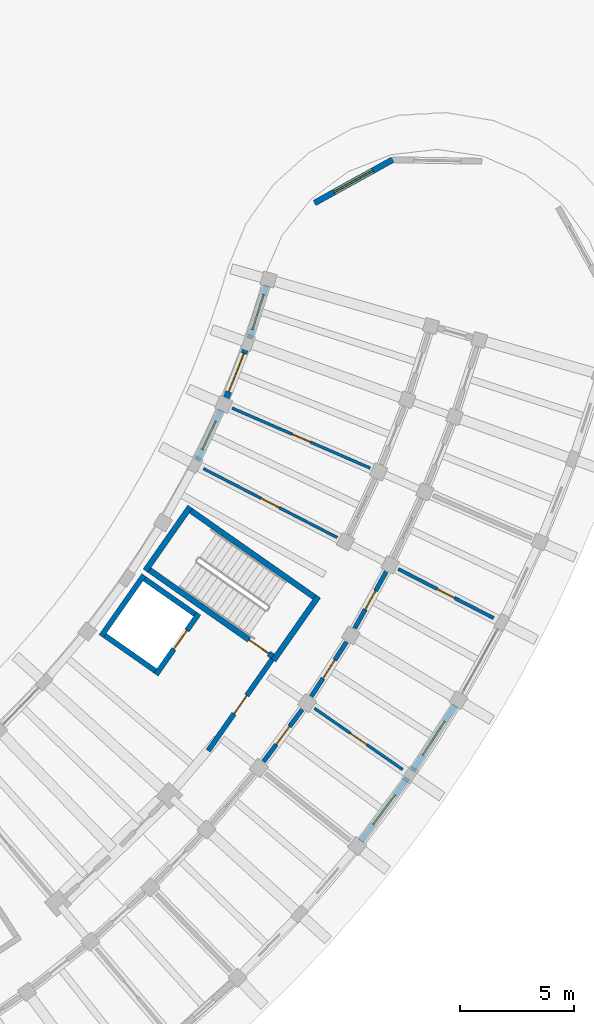
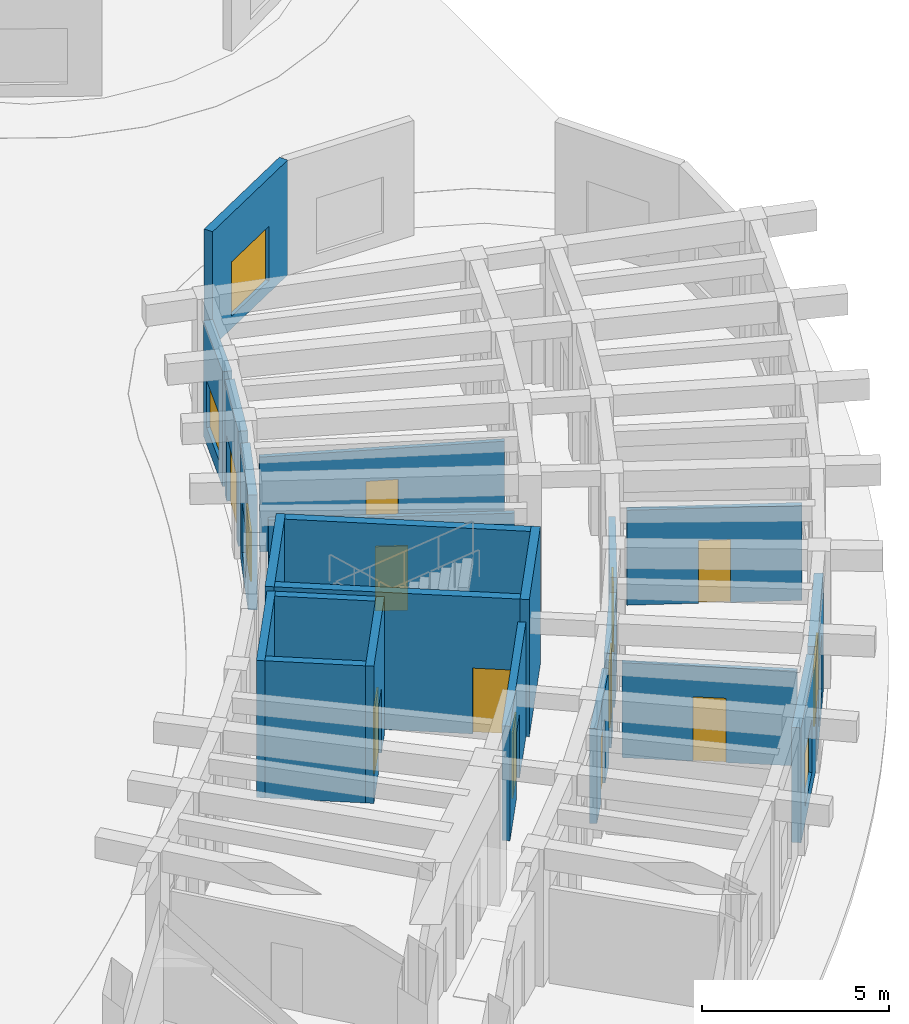
# One storey, part 103 of 132: 22 walls, 11 doors, 5 windows, 16 openings.
"""IFC4 building model written with IfcOpenShell, lengths in metres."""

from ifc_helpers import new_model, si_unit, direction, frame, frame_2d, origin, place, context, subcontext, project, spatial, rectangle, extrude, material, layer, layer_set, type_object, element, fill, save


model = new_model("IFC4")

# Units and contexts
model_context = context("Model", 3, precision=1e-05, world=origin(), true_north=direction((0.0, 1.0)))
body_context = subcontext(model_context, "Body", "Model", "MODEL_VIEW")
ifc_project = project(units=[si_unit("LENGTHUNIT", "METRE"), si_unit("AREAUNIT", "SQUARE_METRE"), si_unit("VOLUMEUNIT", "CUBIC_METRE"), si_unit("PLANEANGLEUNIT", "RADIAN"), si_unit("MASSUNIT", "GRAM", prefix="KILO")], contexts=[model_context])

# Site, building, storey
site_placement = place(None, origin())
site = spatial("IfcSite", under=ifc_project, at=site_placement, CompositionType="ELEMENT")
building_placement = place(site_placement, origin())
building = spatial("IfcBuilding", under=site, at=building_placement, Name="Tanwirah Colonnade Gardens", CompositionType="ELEMENT")
storey_placement = place(building_placement, origin())
storey = spatial("IfcBuildingStorey", under=building, at=storey_placement, Name="L00", CompositionType="ELEMENT", Elevation=0.0)

# Wall, opening, window
ifc_material_1 = material(Name="Limestone architectural precast concrete C40/50", Category="masonry")
ifc_layer_1 = layer(ifc_material_1, 0.260009765625)
ifc_layer_set_1 = layer_set([ifc_layer_1], Name="Limestone architectural precast concrete C40/50")
wall_type_1 = type_object("IfcWallType", Name="EW-PC260", PredefinedType="SOLIDWALL", material=ifc_layer_set_1)
wall_1_placement = place(storey_placement, frame((167.768310546875, 27.64990234375, 0.0), z_axis=(0.0, 0.0, 1.0), x_axis=(0.596562008048, 0.802566988203, 0.0)))
wall_1 = element("IfcWall", 1, at=wall_1_placement, inside=storey, type_object=wall_type_1, Name="Block D L00 OUT Precast Facade Wall 10", PredefinedType="SOLIDWALL", context=body_context, shape_type="SweptSolid", body=[
    extrude(rectangle(XDim=3.436767578125, YDim=0.260009765625, at=frame_2d((1.71826171875, 0.0))), origin(), (0.0, 0.0, 1.0), 3.7548828125),
])
opening_1_placement = place(wall_1_placement, frame((0.91845703125, 0.0, 0.550048828125)))
opening_1 = element("IfcOpeningElement", 2, at=opening_1_placement, cuts=wall_1, Name="Opening WIN-T10", PredefinedType="OPENING", context=body_context, shape_type="SweptSolid", body=[
    extrude(rectangle(XDim=1.60009765625, YDim=1.75, at=frame_2d((0.800048828125, 0.875))), frame((0.0, 0.139892578125, 0.0), z_axis=(0.0, -1.0, 0.0), x_axis=(1.0, 0.0, 0.0)), (0.0, 0.0, 1.0), 0.280029296875),
])
ifc_material_2 = material(Name="Thermally broken bronze aluminium and solar low-E double glazing", Category="aluminium")
window_type_1 = type_object("IfcWindowType", Name="WIN-T10", PartitioningType="DOUBLE_PANEL_VERTICAL", PredefinedType="WINDOW", material=ifc_material_2)
window_1_placement = place(opening_1_placement, origin())
window_1 = element("IfcWindow", 3, at=window_1_placement, inside=storey, type_object=window_type_1, Name="Facade window D-L00-OUT-10", OverallHeight=1.75, OverallWidth=1.60009765625, PartitioningType="SINGLE_PANEL", PredefinedType="WINDOW", context=body_context, shape_type="SweptSolid", body=[
    extrude(rectangle(XDim=1.60009765625, YDim=1.75, at=frame_2d((0.800048828125, 0.875))), frame((0.0, 0.030029296875, 0.0), z_axis=(0.0, -1.0, 0.0), x_axis=(1.0, 0.0, 0.0)), (0.0, 0.0, 1.0), 0.06005859375),
])
fill(opening_1, window_1)

wall_2_placement = place(storey_placement, frame((170.029541015625, 30.712158203125, 0.0), z_axis=(0.0, 0.0, 1.0), x_axis=(0.54279171039, 0.839867346152, 0.0)))
wall_2 = element("IfcWall", 4, at=wall_2_placement, inside=storey, type_object=wall_type_1, Name="Block D L00 OUT Precast Facade Wall 11", PredefinedType="SOLIDWALL", context=body_context, shape_type="SweptSolid", body=[
    extrude(rectangle(XDim=3.436767578125, YDim=0.260009765625, at=frame_2d((1.71826171875, 0.0))), origin(), (0.0, 0.0, 1.0), 3.7548828125),
])
opening_2_placement = place(wall_2_placement, frame((0.843505859375, 0.0, 0.550048828125)))
opening_2 = element("IfcOpeningElement", 5, at=opening_2_placement, cuts=wall_2, Name="Opening WIN-T13", PredefinedType="OPENING", context=body_context, shape_type="SweptSolid", body=[
    extrude(rectangle(XDim=1.75, YDim=1.85009765625, at=frame_2d((0.875, 0.925048828125))), frame((0.0, 0.139892578125, 0.0), z_axis=(0.0, -1.0, 0.0), x_axis=(1.0, 0.0, 0.0)), (0.0, 0.0, 1.0), 0.280029296875),
])
window_type_2 = type_object("IfcWindowType", Name="WIN-T13", PartitioningType="TRIPLE_PANEL_VERTICAL", PredefinedType="WINDOW", material=ifc_material_2)
window_2_placement = place(opening_2_placement, origin())
window_2 = element("IfcWindow", 6, at=window_2_placement, inside=storey, type_object=window_type_2, Name="Facade window D-L00-OUT-11", OverallHeight=1.85009765625, OverallWidth=1.75, PartitioningType="SINGLE_PANEL", PredefinedType="WINDOW", context=body_context, shape_type="SweptSolid", body=[
    extrude(rectangle(XDim=1.75, YDim=1.85009765625, at=frame_2d((0.875, 0.925048828125))), frame((0.0, 0.030029296875, 0.0), z_axis=(0.0, -1.0, 0.0), x_axis=(1.0, 0.0, 0.0)), (0.0, 0.0, 1.0), 0.06005859375),
])
fill(opening_2, window_2)

wall_3_placement = place(storey_placement, frame((160.59619140625, 44.314697265625, 0.0), z_axis=(0.0, 0.0, 1.0), x_axis=(0.42853203261, 0.903526588998, 0.0)))
wall_3 = element("IfcWall", 7, at=wall_3_placement, inside=storey, type_object=wall_type_1, Name="Block D L00 IN Precast Facade Wall 13", PredefinedType="SOLIDWALL", context=body_context, shape_type="SweptSolid", body=[
    extrude(rectangle(XDim=2.44873046875, YDim=0.260009765625, at=frame_2d((1.224365234375, 0.0))), origin(), (0.0, 0.0, 1.0), 3.7548828125),
])
opening_3_placement = place(wall_3_placement, frame((0.54443359375, 0.0, 0.550048828125)))
opening_3 = element("IfcOpeningElement", 8, at=opening_3_placement, cuts=wall_3, Name="Opening WIN-U06", PredefinedType="OPENING", context=body_context, shape_type="SweptSolid", body=[
    extrude(rectangle(XDim=1.360107421875, YDim=1.610107421875, at=frame_2d((0.68017578125, 0.80517578125))), frame((0.0, 0.139892578125, 0.0), z_axis=(0.0, -1.0, 0.0), x_axis=(1.0, 0.0, 0.0)), (0.0, 0.0, 1.0), 0.280029296875),
])
window_type_3 = type_object("IfcWindowType", Name="WIN-U06", PartitioningType="DOUBLE_PANEL_VERTICAL", PredefinedType="WINDOW", material=ifc_material_2)
window_3_placement = place(opening_3_placement, origin())
window_3 = element("IfcWindow", 9, at=window_3_placement, inside=storey, type_object=window_type_3, Name="Facade window D-L00-IN-13", OverallHeight=1.610107421875, OverallWidth=1.360107421875, PartitioningType="SINGLE_PANEL", PredefinedType="WINDOW", context=body_context, shape_type="SweptSolid", body=[
    extrude(rectangle(XDim=1.360107421875, YDim=1.610107421875, at=frame_2d((0.68017578125, 0.80517578125))), frame((0.0, 0.030029296875, 0.0), z_axis=(0.0, -1.0, 0.0), x_axis=(1.0, 0.0, 0.0)), (0.0, 0.0, 1.0), 0.06005859375),
])
fill(opening_3, window_3)

# Wall, opening, door
wall_4_placement = place(storey_placement, frame((161.86474609375, 47.03125, 0.0), z_axis=(0.0, 0.0, 1.0), x_axis=(0.368500941406, 0.92962737491, 0.0)))
wall_4 = element("IfcWall", 10, at=wall_4_placement, inside=storey, type_object=wall_type_1, Name="Block D L00 IN Precast Facade Wall 14", PredefinedType="SOLIDWALL", context=body_context, shape_type="SweptSolid", body=[
    extrude(rectangle(XDim=2.44873046875, YDim=0.260009765625, at=frame_2d((1.224365234375, 0.0))), origin(), (0.0, 0.0, 1.0), 3.7548828125),
])
opening_4_placement = place(wall_4_placement, frame((0.324462890625, 0.0, 0.0)))
opening_4 = element("IfcOpeningElement", 11, at=opening_4_placement, cuts=wall_4, Name="Opening L00-ED175", PredefinedType="OPENING", context=body_context, shape_type="SweptSolid", body=[
    extrude(rectangle(XDim=1.800048828125, YDim=2.14990234375, at=frame_2d((0.89990234375, 1.074951171875))), frame((0.0, 0.139892578125, 0.0), z_axis=(0.0, -1.0, 0.0), x_axis=(1.0, 0.0, 0.0)), (0.0, 0.0, 1.0), 0.280029296875),
])
ifc_material_3 = material(Name="Powder-coated galvanized steel fire exit door", Category="steel")
door_type_1 = type_object("IfcDoorType", Name="ED-EXIT18", OperationType="DOUBLE_DOOR_SINGLE_SWING", PredefinedType="DOOR", material=ifc_material_3)
door_1_placement = place(opening_4_placement, origin())
door_1 = element("IfcDoor", 12, at=door_1_placement, inside=storey, type_object=door_type_1, Name="Pedestrian final exit door L00-ED175", OperationType="DOUBLE_DOOR_SINGLE_SWING", OverallHeight=2.14990234375, OverallWidth=1.800048828125, PredefinedType="DOOR", context=body_context, shape_type="SweptSolid", body=[
    extrude(rectangle(XDim=1.800048828125, YDim=2.14990234375, at=frame_2d((0.89990234375, 1.074951171875))), frame((0.0, 0.02490234375, 0.0), z_axis=(0.0, -1.0, 0.0), x_axis=(1.0, 0.0, 0.0)), (0.0, 0.0, 1.0), 0.050048828125),
])
fill(opening_4, door_1)

# Wall, opening, window
wall_5_placement = place(storey_placement, frame((162.89208984375, 49.65576171875, 0.0), z_axis=(0.0, 0.0, 1.0), x_axis=(0.306909552229, 0.951738686169, 0.0)))
wall_5 = element("IfcWall", 13, at=wall_5_placement, inside=storey, type_object=wall_type_1, Name="Block D L00 IN Precast Facade Wall 15", PredefinedType="SOLIDWALL", context=body_context, shape_type="SweptSolid", body=[
    extrude(rectangle(XDim=2.448486328125, YDim=0.260009765625, at=frame_2d((1.22412109375, 0.0))), origin(), (0.0, 0.0, 1.0), 3.7548828125),
])
opening_5_placement = place(wall_5_placement, frame((0.42431640625, 0.0, 0.550048828125)))
opening_5 = element("IfcOpeningElement", 14, at=opening_5_placement, cuts=wall_5, Name="Opening WIN-U12", PredefinedType="OPENING", context=body_context, shape_type="SweptSolid", body=[
    extrude(rectangle(XDim=1.60009765625, YDim=1.534912109375, at=frame_2d((0.800048828125, 0.767578125))), frame((0.0, 0.139892578125, 0.0), z_axis=(0.0, -1.0, 0.0), x_axis=(1.0, 0.0, 0.0)), (0.0, 0.0, 1.0), 0.280029296875),
])
window_type_4 = type_object("IfcWindowType", Name="WIN-U12", PartitioningType="DOUBLE_PANEL_VERTICAL", PredefinedType="WINDOW", material=ifc_material_2)
window_4_placement = place(opening_5_placement, origin())
window_4 = element("IfcWindow", 15, at=window_4_placement, inside=storey, type_object=window_type_4, Name="Facade window D-L00-IN-15", OverallHeight=1.534912109375, OverallWidth=1.60009765625, PartitioningType="SINGLE_PANEL", PredefinedType="WINDOW", context=body_context, shape_type="SweptSolid", body=[
    extrude(rectangle(XDim=1.60009765625, YDim=1.534912109375, at=frame_2d((0.800048828125, 0.767578125))), frame((0.0, 0.030029296875, 0.0), z_axis=(0.0, -1.0, 0.0), x_axis=(1.0, 0.0, 0.0)), (0.0, 0.0, 1.0), 0.06005859375),
])
fill(opening_5, window_4)

wall_6_placement = place(storey_placement, frame((165.740966796875, 55.597900390625, 0.0), z_axis=(0.0, 0.0, 1.0), x_axis=(0.874616555828, 0.48481530532, 0.0)))
wall_6 = element("IfcWall", 16, at=wall_6_placement, inside=storey, type_object=wall_type_1, Name="Block D L00 END Rounded End Wall 1", PredefinedType="SOLIDWALL", context=body_context, shape_type="SweptSolid", body=[
    extrude(rectangle(XDim=3.908203125, YDim=0.260009765625, at=frame_2d((1.9541015625, 0.0))), origin(), (0.0, 0.0, 1.0), 3.7548828125),
])
opening_6_placement = place(wall_6_placement, frame((0.97900390625, 0.0, 0.39990234375)))
opening_6 = element("IfcOpeningElement", 17, at=opening_6_placement, cuts=wall_6, Name="Opening WIN-END2", PredefinedType="OPENING", context=body_context, shape_type="SweptSolid", body=[
    extrude(rectangle(XDim=1.949951171875, YDim=1.780029296875, at=frame_2d((0.97509765625, 0.89013671875))), frame((0.0, 0.139892578125, 0.0), z_axis=(0.0, -1.0, 0.0), x_axis=(1.0, 0.0, 0.0)), (0.0, 0.0, 1.0), 0.280029296875),
])
window_type_5 = type_object("IfcWindowType", Name="WIN-END2", PartitioningType="TRIPLE_PANEL_VERTICAL", PredefinedType="WINDOW", material=ifc_material_2)
window_5_placement = place(opening_6_placement, origin())
window_5 = element("IfcWindow", 18, at=window_5_placement, inside=storey, type_object=window_type_5, Name="Rounded corner window D-L00-END-1", OverallHeight=1.780029296875, OverallWidth=1.949951171875, PartitioningType="SINGLE_PANEL", PredefinedType="WINDOW", context=body_context, shape_type="SweptSolid", body=[
    extrude(rectangle(XDim=1.949951171875, YDim=1.780029296875, at=frame_2d((0.97509765625, 0.89013671875))), frame((0.0, 0.030029296875, 0.0), z_axis=(0.0, -1.0, 0.0), x_axis=(1.0, 0.0, 0.0)), (0.0, 0.0, 1.0), 0.06005859375),
])
fill(opening_6, window_5)

# Wall, opening, door
ifc_material_4 = material(Name="Precast concrete C40/50", Category="concrete")
ifc_layer_2 = layer(ifc_material_4, 0.195068359375)
ifc_layer_set_2 = layer_set([ifc_layer_2], Name="Precast concrete C40/50")
wall_type_2 = type_object("IfcWallType", Name="IW-CORR195", PredefinedType="PARTITIONING", material=ifc_layer_set_2)
wall_7_placement = place(storey_placement, frame((163.5087890625, 31.134033203125, 0.0), z_axis=(0.0, 0.0, 1.0), x_axis=(0.596552136601, 0.802574325727, 0.0)))
wall_7 = element("IfcWall", 19, at=wall_7_placement, inside=storey, type_object=wall_type_2, Name="Block D L00 OUT Corridor Wall 10", PredefinedType="PARTITIONING", context=body_context, shape_type="SweptSolid", body=[
    extrude(rectangle(XDim=2.8369140625, YDim=0.195068359375, at=frame_2d((1.41845703125, 0.0))), origin(), (0.0, 0.0, 1.0), 3.10009765625),
])
opening_7_placement = place(wall_7_placement, frame((0.93359375, 0.0, 0.0)))
opening_7 = element("IfcOpeningElement", 20, at=opening_7_placement, cuts=wall_7, Name="Opening L00-AD1671", PredefinedType="OPENING", context=body_context, shape_type="SweptSolid", body=[
    extrude(rectangle(XDim=0.969970703125, YDim=2.14990234375, at=frame_2d((0.48486328125, 1.074951171875))), frame((0.0, 0.107421875, 0.0), z_axis=(0.0, -1.0, 0.0), x_axis=(1.0, 0.0, 0.0)), (0.0, 0.0, 1.0), 0.215087890625),
])
ifc_material_5 = material(Name="Solid oak fire-resisting apartment entrance door")
door_type_2 = type_object("IfcDoorType", Name="ID-FLT097", OperationType="NOTDEFINED", PredefinedType="DOOR", material=ifc_material_5)
door_2_placement = place(opening_7_placement, origin())
door_2 = element("IfcDoor", 21, at=door_2_placement, inside=storey, type_object=door_type_2, Name="Apartment corridor door L00-AD1671", OperationType="SINGLE_SWING_LEFT", OverallHeight=2.14990234375, OverallWidth=0.969970703125, PredefinedType="DOOR", context=body_context, shape_type="SweptSolid", body=[
    extrude(rectangle(XDim=0.969970703125, YDim=2.14990234375, at=frame_2d((0.48486328125, 1.074951171875))), frame((0.0, 0.02490234375, 0.0), z_axis=(0.0, -1.0, 0.0), x_axis=(1.0, 0.0, 0.0)), (0.0, 0.0, 1.0), 0.050048828125),
])
fill(opening_7, door_2)

wall_8_placement = place(storey_placement, frame((165.60009765625, 33.985595703125, 0.0), z_axis=(0.0, 0.0, 1.0), x_axis=(0.542787304957, 0.83987019329, 0.0)))
wall_8 = element("IfcWall", 22, at=wall_8_placement, inside=storey, type_object=wall_type_2, Name="Block D L00 OUT Corridor Wall 11", PredefinedType="PARTITIONING", context=body_context, shape_type="SweptSolid", body=[
    extrude(rectangle(XDim=2.8369140625, YDim=0.195068359375, at=frame_2d((1.41845703125, 0.0))), origin(), (0.0, 0.0, 1.0), 3.10009765625),
])
opening_8_placement = place(wall_8_placement, frame((0.943603515625, 0.0, 0.0)))
opening_8 = element("IfcOpeningElement", 23, at=opening_8_placement, cuts=wall_8, Name="Opening L00-AD1673", PredefinedType="OPENING", context=body_context, shape_type="SweptSolid", body=[
    extrude(rectangle(XDim=0.949951171875, YDim=2.1298828125, at=frame_2d((0.47509765625, 1.06494140625))), frame((0.0, 0.107421875, 0.0), z_axis=(0.0, -1.0, 0.0), x_axis=(1.0, 0.0, 0.0)), (0.0, 0.0, 1.0), 0.215087890625),
])
door_type_3 = type_object("IfcDoorType", Name="ID-FLT095", OperationType="NOTDEFINED", PredefinedType="DOOR", material=ifc_material_5)
door_3_placement = place(opening_8_placement, origin())
door_3 = element("IfcDoor", 24, at=door_3_placement, inside=storey, type_object=door_type_3, Name="Apartment corridor door L00-AD1673", OperationType="SINGLE_SWING_RIGHT", OverallHeight=2.1298828125, OverallWidth=0.949951171875, PredefinedType="DOOR", context=body_context, shape_type="SweptSolid", body=[
    extrude(rectangle(XDim=0.949951171875, YDim=2.1298828125, at=frame_2d((0.47509765625, 1.06494140625))), frame((0.0, 0.02490234375, 0.0), z_axis=(0.0, -1.0, 0.0), x_axis=(1.0, 0.0, 0.0)), (0.0, 0.0, 1.0), 0.050048828125),
])
fill(opening_8, door_3)

wall_9_placement = place(storey_placement, frame((167.500244140625, 36.968017578125, 0.0), z_axis=(0.0, 0.0, 1.0), x_axis=(0.48673124079, 0.8735517725, 0.0)))
wall_9 = element("IfcWall", 25, at=wall_9_placement, inside=storey, type_object=wall_type_2, Name="Block D L00 OUT Corridor Wall 12", PredefinedType="PARTITIONING", context=body_context, shape_type="SweptSolid", body=[
    extrude(rectangle(XDim=2.8369140625, YDim=0.195068359375, at=frame_2d((1.41845703125, 0.0))), origin(), (0.0, 0.0, 1.0), 3.10009765625),
])
opening_9_placement = place(wall_9_placement, frame((0.95361328125, 0.0, 0.0)))
opening_9 = element("IfcOpeningElement", 26, at=opening_9_placement, cuts=wall_9, Name="Opening L00-AD1674", PredefinedType="OPENING", context=body_context, shape_type="SweptSolid", body=[
    extrude(rectangle(XDim=0.929931640625, YDim=2.1201171875, at=frame_2d((0.46484375, 1.06005859375))), frame((0.0, 0.107421875, 0.0), z_axis=(0.0, -1.0, 0.0), x_axis=(1.0, 0.0, 0.0)), (0.0, 0.0, 1.0), 0.215087890625),
])
door_type_4 = type_object("IfcDoorType", Name="ID-FLT093", OperationType="NOTDEFINED", PredefinedType="DOOR", material=ifc_material_5)
door_4_placement = place(opening_9_placement, origin())
door_4 = element("IfcDoor", 27, at=door_4_placement, inside=storey, type_object=door_type_4, Name="Apartment corridor door L00-AD1674", OperationType="SINGLE_SWING_LEFT", OverallHeight=2.1201171875, OverallWidth=0.929931640625, PredefinedType="DOOR", context=body_context, shape_type="SweptSolid", body=[
    extrude(rectangle(XDim=0.929931640625, YDim=2.1201171875, at=frame_2d((0.46484375, 1.06005859375))), frame((0.0, 0.02490234375, 0.0), z_axis=(0.0, -1.0, 0.0), x_axis=(1.0, 0.0, 0.0)), (0.0, 0.0, 1.0), 0.050048828125),
])
fill(opening_9, door_4)

ifc_material_6 = material(Name="Autoclaved aerated masonry blockwork", Category="masonry")
ifc_layer_3 = layer(ifc_material_6, 0.219970703125)
ifc_layer_set_3 = layer_set([ifc_layer_3], Name="Autoclaved aerated masonry blockwork")
wall_type_3 = type_object("IfcWallType", Name="IW-FFL220", PredefinedType="PARTITIONING", material=ifc_layer_set_3)
wall_10_placement = place(storey_placement, frame((163.89501953125, 35.624267578125, 0.0), z_axis=(0.0, 0.0, 1.0), x_axis=(-0.573572687386, -0.819154669329, 0.0)))
wall_10 = element("IfcWall", 28, at=wall_10_placement, inside=storey, type_object=wall_type_3, Name="CORE-D2 L00 Enclosed Lobby Fire Wall", PredefinedType="PARTITIONING", context=body_context, shape_type="SweptSolid", body=[
    extrude(rectangle(XDim=4.900146484375, YDim=0.219970703125, at=frame_2d((2.4501953125, 0.0))), origin(), (0.0, 0.0, 1.0), 3.739990234375),
])
opening_10_placement = place(wall_10_placement, frame((1.949951171875, 0.0, 0.0)))
opening_10 = element("IfcOpeningElement", 29, at=opening_10_placement, cuts=wall_10, Name="Opening L00-LD200", PredefinedType="OPENING", context=body_context, shape_type="SweptSolid", body=[
    extrude(rectangle(XDim=0.97998046875, YDim=2.139892578125, at=frame_2d((0.489990234375, 1.06982421875))), frame((0.0, 0.119873046875, 0.0), z_axis=(0.0, -1.0, 0.0), x_axis=(1.0, 0.0, 0.0)), (0.0, 0.0, 1.0), 0.239990234375),
])
ifc_material_7 = material(Name="Acoustic fire-resisting lobby door")
door_type_5 = type_object("IfcDoorType", Name="ID-FFL098", OperationType="NOTDEFINED", PredefinedType="DOOR", material=ifc_material_7)
door_5_placement = place(opening_10_placement, origin())
door_5 = element("IfcDoor", 30, at=door_5_placement, inside=storey, type_object=door_type_5, Name="CORE-D2 L00 Lobby Fire Door L00-LD200", OperationType="SINGLE_SWING_LEFT", OverallHeight=2.139892578125, OverallWidth=0.97998046875, PredefinedType="DOOR", context=body_context, shape_type="SweptSolid", body=[
    extrude(rectangle(XDim=0.97998046875, YDim=2.139892578125, at=frame_2d((0.489990234375, 1.06982421875))), frame((0.0, 0.02490234375, 0.0), z_axis=(0.0, -1.0, 0.0), x_axis=(1.0, 0.0, 0.0)), (0.0, 0.0, 1.0), 0.050048828125),
])
fill(opening_10, door_5)

ifc_material_8 = material(Name="Moisture-resistant gypsum stud partition")
ifc_layer_4 = layer(ifc_material_8, 0.125)
ifc_layer_set_4 = layer_set([ifc_layer_4], Name="Moisture-resistant gypsum stud partition")
wall_type_4 = type_object("IfcWallType", Name="IW-INT125", PredefinedType="PARTITIONING", material=ifc_layer_set_4)
wall_11_placement = place(storey_placement, frame((165.73876953125, 33.463623046875, 0.0), z_axis=(0.0, 0.0, 1.0), x_axis=(0.821638260647, -0.570009270663, 0.0)))
wall_11 = element("IfcWall", 31, at=wall_11_placement, inside=storey, type_object=wall_type_4, Name="Block D L00 Radial Partition 10", PredefinedType="PARTITIONING", context=body_context, shape_type="SweptSolid", body=[
    extrude(rectangle(XDim=4.699951171875, YDim=0.125, at=frame_2d((2.35009765625, 0.0))), origin(), (0.0, 0.0, 1.0), 3.10009765625),
])
opening_11_placement = place(wall_11_placement, frame((1.905029296875, 0.0, 0.0)))
opening_11 = element("IfcOpeningElement", 32, at=opening_11_placement, cuts=wall_11, Name="Opening L00-RD1672", PredefinedType="OPENING", context=body_context, shape_type="SweptSolid", body=[
    extrude(rectangle(XDim=0.889892578125, YDim=2.10009765625, at=frame_2d((0.44482421875, 1.050048828125))), frame((0.0, 0.072509765625, 0.0), z_axis=(0.0, -1.0, 0.0), x_axis=(1.0, 0.0, 0.0)), (0.0, 0.0, 1.0), 0.14501953125),
])
ifc_material_9 = material(Name="Painted hardwood bedroom door", Category="wood")
door_type_6 = type_object("IfcDoorType", Name="ID-RM089", OperationType="NOTDEFINED", PredefinedType="DOOR", material=ifc_material_9)
door_6_placement = place(opening_11_placement, origin())
door_6 = element("IfcDoor", 33, at=door_6_placement, inside=storey, type_object=door_type_6, Name="Internal apartment door L00-RD1672", OperationType="SINGLE_SWING_LEFT", OverallHeight=2.10009765625, OverallWidth=0.889892578125, PredefinedType="DOOR", context=body_context, shape_type="SweptSolid", body=[
    extrude(rectangle(XDim=0.889892578125, YDim=2.10009765625, at=frame_2d((0.44482421875, 1.050048828125))), frame((0.0, 0.02490234375, 0.0), z_axis=(0.0, -1.0, 0.0), x_axis=(1.0, 0.0, 0.0)), (0.0, 0.0, 1.0), 0.050048828125),
])
fill(opening_11, door_6)

wall_12_placement = place(storey_placement, frame((160.872314453125, 43.96435546875, 0.0), z_axis=(0.0, 0.0, 1.0), x_axis=(0.889022010753, -0.457864460727, 0.0)))
wall_12 = element("IfcWall", 34, at=wall_12_placement, inside=storey, type_object=wall_type_4, Name="Block D L00 Inner Radial Partition 12", PredefinedType="PARTITIONING", context=body_context, shape_type="SweptSolid", body=[
    extrude(rectangle(XDim=6.60009765625, YDim=0.125, at=frame_2d((3.300048828125, 0.0))), origin(), (0.0, 0.0, 1.0), 3.10009765625),
])
opening_12_placement = place(wall_12_placement, frame((2.85498046875, 0.0, 0.0)))
opening_12 = element("IfcOpeningElement", 35, at=opening_12_placement, cuts=wall_12, Name="Opening L00-RD1676", PredefinedType="OPENING", context=body_context, shape_type="SweptSolid", body=[
    extrude(rectangle(XDim=0.889892578125, YDim=2.10009765625, at=frame_2d((0.44482421875, 1.050048828125))), frame((0.0, 0.072509765625, 0.0), z_axis=(0.0, -1.0, 0.0), x_axis=(1.0, 0.0, 0.0)), (0.0, 0.0, 1.0), 0.14501953125),
])
door_7_placement = place(opening_12_placement, origin())
door_7 = element("IfcDoor", 36, at=door_7_placement, inside=storey, type_object=door_type_6, Name="Internal apartment door L00-RD1676", OperationType="SINGLE_SWING_RIGHT", OverallHeight=2.10009765625, OverallWidth=0.889892578125, PredefinedType="DOOR", context=body_context, shape_type="SweptSolid", body=[
    extrude(rectangle(XDim=0.889892578125, YDim=2.10009765625, at=frame_2d((0.44482421875, 1.050048828125))), frame((0.0, 0.02490234375, 0.0), z_axis=(0.0, -1.0, 0.0), x_axis=(1.0, 0.0, 0.0)), (0.0, 0.0, 1.0), 0.050048828125),
])
fill(opening_12, door_7)

wall_13_placement = place(storey_placement, frame((162.130126953125, 46.6162109375, 0.0), z_axis=(0.0, 0.0, 1.0), x_axis=(0.9170582943, -0.398753162817, 0.0)))
wall_13 = element("IfcWall", 37, at=wall_13_placement, inside=storey, type_object=wall_type_4, Name="Block D L00 Inner Radial Partition 13", PredefinedType="PARTITIONING", context=body_context, shape_type="SweptSolid", body=[
    extrude(rectangle(XDim=6.60009765625, YDim=0.125, at=frame_2d((3.300048828125, 0.0))), origin(), (0.0, 0.0, 1.0), 3.10009765625),
])
opening_13_placement = place(wall_13_placement, frame((2.864990234375, 0.0, 0.0)))
opening_13 = element("IfcOpeningElement", 38, at=opening_13_placement, cuts=wall_13, Name="Opening L00-RD1679", PredefinedType="OPENING", context=body_context, shape_type="SweptSolid", body=[
    extrude(rectangle(XDim=0.8701171875, YDim=2.080078125, at=frame_2d((0.43505859375, 1.0400390625))), frame((0.0, 0.072509765625, 0.0), z_axis=(0.0, -1.0, 0.0), x_axis=(1.0, 0.0, 0.0)), (0.0, 0.0, 1.0), 0.14501953125),
])
ifc_material_10 = material(Name="Painted hardwood study door", Category="wood")
door_type_7 = type_object("IfcDoorType", Name="ID-RM087", OperationType="NOTDEFINED", PredefinedType="DOOR", material=ifc_material_10)
door_8_placement = place(opening_13_placement, origin())
door_8 = element("IfcDoor", 39, at=door_8_placement, inside=storey, type_object=door_type_7, Name="Internal apartment door L00-RD1679", OperationType="SINGLE_SWING_LEFT", OverallHeight=2.080078125, OverallWidth=0.8701171875, PredefinedType="DOOR", context=body_context, shape_type="SweptSolid", body=[
    extrude(rectangle(XDim=0.8701171875, YDim=2.080078125, at=frame_2d((0.43505859375, 1.0400390625))), frame((0.0, 0.02490234375, 0.0), z_axis=(0.0, -1.0, 0.0), x_axis=(1.0, 0.0, 0.0)), (0.0, 0.0, 1.0), 0.050048828125),
])
fill(opening_13, door_8)

ifc_material_11 = material(Name="Water-resistant acoustic plumbing partition")
ifc_layer_5 = layer(ifc_material_11, 0.14990234375)
ifc_layer_set_5 = layer_set([ifc_layer_5], Name="Water-resistant acoustic plumbing partition")
wall_type_5 = type_object("IfcWallType", Name="IW-WET150", PredefinedType="PLUMBINGWALL", material=ifc_layer_set_5)
wall_14_placement = place(storey_placement, frame((169.406982421875, 39.56884765625, 0.0), z_axis=(0.0, 0.0, 1.0), x_axis=(0.889013002038, -0.457881952262, 0.0)))
wall_14 = element("IfcWall", 40, at=wall_14_placement, inside=storey, type_object=wall_type_5, Name="Block D L00 Radial Partition 12", PredefinedType="PLUMBINGWALL", context=body_context, shape_type="SweptSolid", body=[
    extrude(rectangle(XDim=4.7001953125, YDim=0.14990234375, at=frame_2d((2.35009765625, 0.0))), origin(), (0.0, 0.0, 1.0), 3.10009765625),
])
opening_14_placement = place(wall_14_placement, frame((1.925048828125, 0.0, 0.0)))
opening_14 = element("IfcOpeningElement", 41, at=opening_14_placement, cuts=wall_14, Name="Opening L00-RD1675", PredefinedType="OPENING", context=body_context, shape_type="SweptSolid", body=[
    extrude(rectangle(XDim=0.85009765625, YDim=2.050048828125, at=frame_2d((0.425048828125, 1.02490234375))), frame((0.0, 0.0849609375, 0.0), z_axis=(0.0, -1.0, 0.0), x_axis=(1.0, 0.0, 0.0)), (0.0, 0.0, 1.0), 0.169921875),
])
ifc_material_12 = material(Name="Moisture-resistant en-suite door")
door_type_8 = type_object("IfcDoorType", Name="ID-WET085", OperationType="NOTDEFINED", PredefinedType="DOOR", material=ifc_material_12)
door_9_placement = place(opening_14_placement, origin())
door_9 = element("IfcDoor", 42, at=door_9_placement, inside=storey, type_object=door_type_8, Name="Internal apartment door L00-RD1675", OperationType="SINGLE_SWING_LEFT", OverallHeight=2.050048828125, OverallWidth=0.85009765625, PredefinedType="DOOR", context=body_context, shape_type="SweptSolid", body=[
    extrude(rectangle(XDim=0.85009765625, YDim=2.050048828125, at=frame_2d((0.425048828125, 1.02490234375))), frame((0.0, 0.02490234375, 0.0), z_axis=(0.0, -1.0, 0.0), x_axis=(1.0, 0.0, 0.0)), (0.0, 0.0, 1.0), 0.050048828125),
])
fill(opening_14, door_9)

# Walls
ifc_material_13 = material(Name="Concrete C45/55", Category="concrete")
ifc_layer_6 = layer(ifc_material_13, 0.25)
ifc_layer_set_6 = layer_set([ifc_layer_6], Name="Concrete C45/55")
wall_type_6 = type_object("IfcWallType", Name="SW-CORE250", PredefinedType="SHEAR", material=ifc_layer_set_6)
wall_15_placement = place(storey_placement, frame((165.732666015625, 38.335693359375, 0.0), z_axis=(0.0, 0.0, 1.0), x_axis=(-0.819153711596, 0.573574055182, 0.0)))
element("IfcWall", 43, at=wall_15_placement, inside=storey, type_object=wall_type_6, Name="CORE-D2 L00 Stair Shaft Shear Wall LEFT", PredefinedType="SHEAR", context=body_context, shape_type="SweptSolid", body=[
    extrude(rectangle(XDim=6.60009765625, YDim=0.25, at=frame_2d((3.300048828125, 0.0))), origin(), (0.0, 0.0, 1.0), 4.47998046875),
])
for number, where, z_axis, x_axis, name in (
    (44, (160.29541015625, 42.29541015625, 0.0), (0.0, 0.0, 1.0), (-0.573582112484, -0.819148069789, 0.0), "CORE-D2 L00 Stair Shaft Shear Wall FAR"),
    (45, (165.90673828125, 38.366455078125, 0.0), (0.0, 0.0, 1.0), (-0.573582112484, -0.819148069789, 0.0), "CORE-D2 L00 Stair Shaft Shear Wall NEAR"),
):
    element("IfcWall", number, at=place(storey_placement, frame(where, z_axis=z_axis, x_axis=x_axis)), inside=storey, type_object=wall_type_6, Name=name, PredefinedType="SHEAR", context=body_context, shape_type="SweptSolid", body=[
        extrude(rectangle(XDim=3.419921875, YDim=0.25, at=frame_2d((1.7099609375, 0.0))), origin(), (0.0, 0.0, 1.0), 4.47998046875),
    ])

# Wall, opening, door
wall_16_placement = place(storey_placement, frame((163.914306640625, 35.739013671875, 0.0), z_axis=(0.0, 0.0, 1.0), x_axis=(-0.819153711596, 0.573574055182, 0.0)))
wall_16 = element("IfcWall", 46, at=wall_16_placement, inside=storey, type_object=wall_type_6, Name="CORE-D2 L00 Stair Shaft Shear Wall RIGHT", PredefinedType="SHEAR", context=body_context, shape_type="SweptSolid", body=[
    extrude(rectangle(XDim=6.60009765625, YDim=0.25, at=frame_2d((3.300048828125, 0.0))), origin(), (0.0, 0.0, 1.0), 4.47998046875),
])
opening_15_placement = place(wall_16_placement, frame((0.219970703125, 0.0, 0.0)))
opening_15 = element("IfcOpeningElement", 47, at=opening_15_placement, cuts=wall_16, Name="Opening L00-SD190", PredefinedType="OPENING", context=body_context, shape_type="SweptSolid", body=[
    extrude(rectangle(XDim=1.050048828125, YDim=2.14990234375, at=frame_2d((0.52490234375, 1.074951171875))), frame((0.0, 0.135009765625, 0.0), z_axis=(0.0, -1.0, 0.0), x_axis=(1.0, 0.0, 0.0)), (0.0, 0.0, 1.0), 0.27001953125),
])
ifc_material_14 = material(Name="Steel fire-resisting stair enclosure door", Category="steel")
door_type_9 = type_object("IfcDoorType", Name="ID-ST105", OperationType="NOTDEFINED", PredefinedType="DOOR", material=ifc_material_14)
door_10_placement = place(opening_15_placement, origin())
door_10 = element("IfcDoor", 48, at=door_10_placement, inside=storey, type_object=door_type_9, Name="CORE-D2 L00 Stair Fire Door L00-SD190", OperationType="SINGLE_SWING_LEFT", OverallHeight=2.14990234375, OverallWidth=1.050048828125, PredefinedType="DOOR", context=body_context, shape_type="SweptSolid", body=[
    extrude(rectangle(XDim=1.050048828125, YDim=2.14990234375, at=frame_2d((0.52490234375, 1.074951171875))), frame((0.0, 0.02490234375, 0.0), z_axis=(0.0, -1.0, 0.0), x_axis=(1.0, 0.0, 0.0)), (0.0, 0.0, 1.0), 0.050048828125),
])
fill(opening_15, door_10)

ifc_layer_7 = layer(ifc_material_13, 0.22998046875)
ifc_layer_set_7 = layer_set([ifc_layer_7], Name="Concrete C45/55")
wall_type_7 = type_object("IfcWallType", Name="SW-LIFT230", PredefinedType="SHEAR", material=ifc_layer_set_7)
wall_17_placement = place(storey_placement, frame((160.66845703125, 37.614990234375, 0.0), z_axis=(0.0, 0.0, 1.0), x_axis=(-0.573582966431, -0.819147471839, 0.0)))
wall_17 = element("IfcWall", 49, at=wall_17_placement, inside=storey, type_object=wall_type_7, Name="CORE-D2 L00 Lift Shaft Wall FRONT", PredefinedType="SHEAR", context=body_context, shape_type="SweptSolid", body=[
    extrude(rectangle(XDim=3.260009765625, YDim=0.22998046875, at=frame_2d((1.6298828125, 0.0))), origin(), (0.0, 0.0, 1.0), 4.47998046875),
])
opening_16_placement = place(wall_17_placement, frame((0.89990234375, 0.0, 0.0)))
opening_16 = element("IfcOpeningElement", 50, at=opening_16_placement, cuts=wall_17, Name="Opening L00-LD-PL-D2", PredefinedType="OPENING", context=body_context, shape_type="SweptSolid", body=[
    extrude(rectangle(XDim=1.0, YDim=2.14990234375, at=frame_2d((0.5, 1.074951171875))), frame((0.0, 0.125, 0.0), z_axis=(0.0, -1.0, 0.0), x_axis=(1.0, 0.0, 0.0)), (0.0, 0.0, 1.0), 0.25),
])
ifc_material_15 = material(Name="Bronze stainless steel sliding lift landing door", Category="steel")
door_type_10 = type_object("IfcDoorType", Name="LD-PS10", OperationType="DOUBLE_DOOR_SLIDING", PredefinedType="DOOR", material=ifc_material_15)
door_11_placement = place(opening_16_placement, origin())
door_11 = element("IfcDoor", 51, at=door_11_placement, inside=storey, type_object=door_type_10, Name="Lift PL-D2 L00 Sliding Landing Door", OperationType="DOUBLE_DOOR_SLIDING", OverallHeight=2.14990234375, OverallWidth=1.0, PredefinedType="DOOR", context=body_context, shape_type="SweptSolid", body=[
    extrude(rectangle(XDim=1.0, YDim=2.14990234375, at=frame_2d((0.5, 1.074951171875))), frame((0.0, 0.02490234375, 0.0), z_axis=(0.0, -1.0, 0.0), x_axis=(1.0, 0.0, 0.0)), (0.0, 0.0, 1.0), 0.050048828125),
])
fill(opening_16, door_11)

# Walls
wall_18_placement = place(storey_placement, frame((158.268310546875, 39.295654296875, 0.0), z_axis=(0.0, 0.0, 1.0), x_axis=(-0.573582966431, -0.819147471839, 0.0)))
element("IfcWall", 52, at=wall_18_placement, inside=storey, type_object=wall_type_7, Name="CORE-D2 L00 Lift Shaft Wall BACK", PredefinedType="SHEAR", context=body_context, shape_type="SweptSolid", body=[
    extrude(rectangle(XDim=3.260009765625, YDim=0.22998046875, at=frame_2d((1.6298828125, 0.0))), origin(), (0.0, 0.0, 1.0), 4.47998046875),
])
wall_19_placement = place(storey_placement, frame((160.50830078125, 37.5869140625, 0.0), z_axis=(0.0, 0.0, 1.0), x_axis=(-0.819189439894, 0.573523026186, 0.0)))
element("IfcWall", 53, at=wall_19_placement, inside=storey, type_object=wall_type_7, Name="CORE-D2 L00 Lift Shaft Wall SIDEA", PredefinedType="SHEAR", context=body_context, shape_type="SweptSolid", body=[
    extrude(rectangle(XDim=2.7001953125, YDim=0.22998046875, at=frame_2d((1.35009765625, 0.0))), origin(), (0.0, 0.0, 1.0), 4.47998046875),
])
wall_20_placement = place(storey_placement, frame((158.770263671875, 35.104736328125, 0.0), z_axis=(0.0, 0.0, 1.0), x_axis=(-0.819117209968, 0.573626181702, 0.0)))
element("IfcWall", 54, at=wall_20_placement, inside=storey, type_object=wall_type_7, Name="CORE-D2 L00 Lift Shaft Wall SIDEB", PredefinedType="SHEAR", context=body_context, shape_type="SweptSolid", body=[
    extrude(rectangle(XDim=2.699951171875, YDim=0.22998046875, at=frame_2d((1.35009765625, 0.0))), origin(), (0.0, 0.0, 1.0), 4.47998046875),
])

save(model, "model.ifc")
